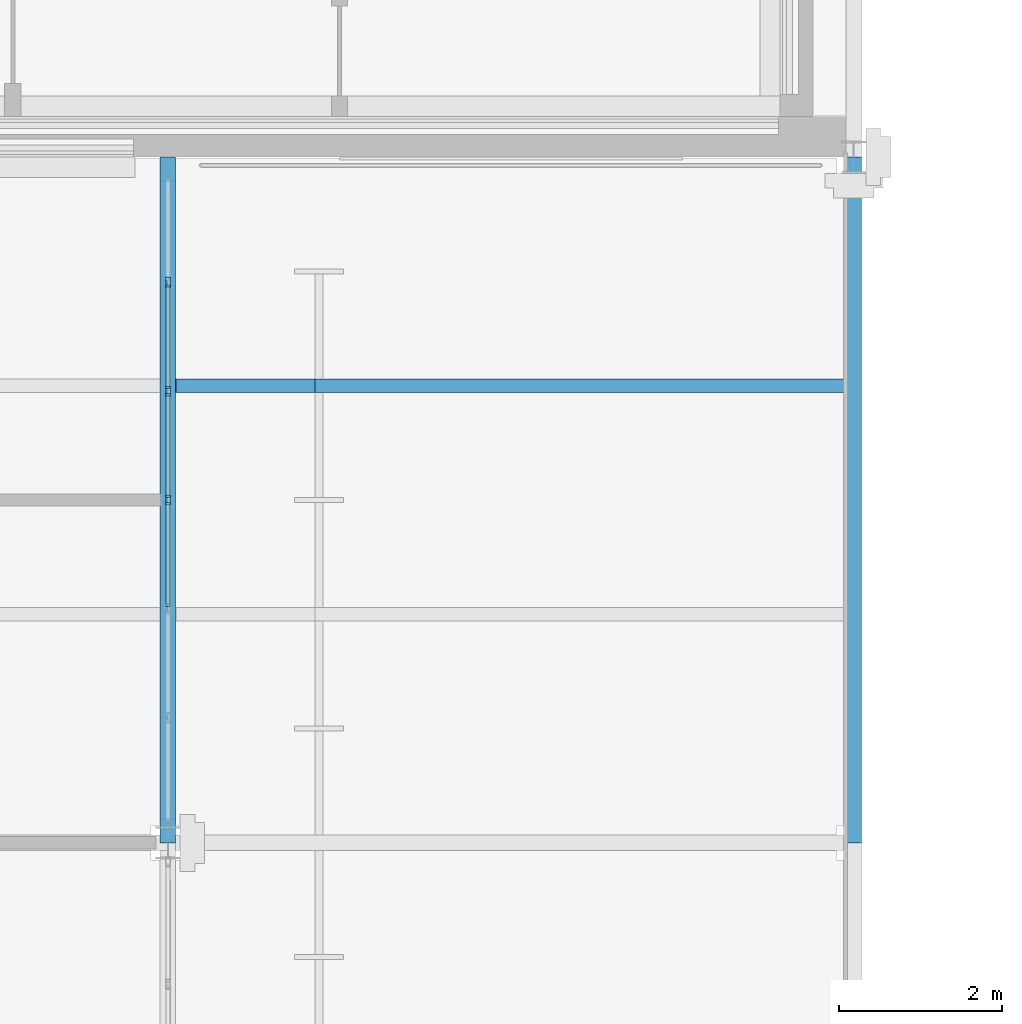
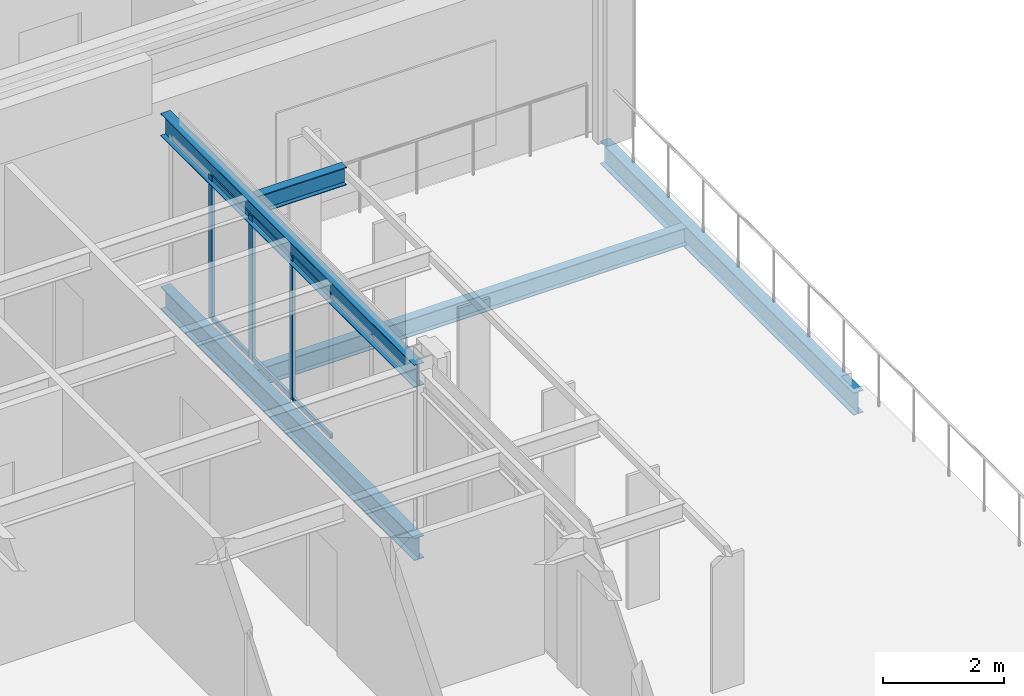
# One storey, part 20 of 31: 9 members, 5 beams, 1 element without a shape of its own.
"""IFC4 building model written with IfcOpenShell, lengths in metres."""

from ifc_helpers import new_model, si_unit, direction, frame, origin, origin_2d, place, context, subcontext, project, spatial, hollow_rectangle, i_section, extrude, material, material_profile, profile_set, type_object, element, aggregate, save


model = new_model("IFC4")

# Units and contexts
model_context = context("Model", 3, precision=1e-05, world=origin(), true_north=direction((0.0, 1.0)))
body_context = subcontext(model_context, "Body", "Model", "MODEL_VIEW")
ifc_project = project(units=[si_unit("LENGTHUNIT", "METRE"), si_unit("AREAUNIT", "SQUARE_METRE"), si_unit("VOLUMEUNIT", "CUBIC_METRE"), si_unit("PLANEANGLEUNIT", "RADIAN"), si_unit("MASSUNIT", "GRAM", prefix="KILO")], contexts=[model_context])

# Site, building, storey
site_placement = place(None, origin())
site = spatial("IfcSite", under=ifc_project, at=site_placement, CompositionType="ELEMENT")
building_placement = place(site_placement, origin())
building = spatial("IfcBuilding", under=site, at=building_placement, Name="Catenary Quay Ferry Terminal", CompositionType="ELEMENT")
storey_placement = place(building_placement, frame((0.0, 0.0, 20.60009765625)))
storey = spatial("IfcBuildingStorey", under=building, at=storey_placement, Name="L04", CompositionType="ELEMENT", Elevation=20.60009765625)

# Beams
ifc_material_1 = material(Name="Steel S355", Category="steel")
ifc_material_profile_1 = material_profile(ifc_material_1, i_section(OverallWidth=0.18994140625, OverallDepth=0.453369140625, WebThickness=0.008544921875, FlangeThickness=0.0126953125, at=origin_2d()), Name="UB 457x191x67")
ifc_profile_set_1 = profile_set([ifc_material_profile_1], Name="Steel S355")
beam_type_1 = type_object("IfcBeamType", Name="B1 UB 457x191x67", PredefinedType="BEAM", material=ifc_profile_set_1)
for number, where, z_axis, x_axis, name in (
    (1, (50.39990234375, 193.199951171875, -0.47705078125), (0.0, 1.0, 0.0), (-1.0, 0.0, 0.0), "Beam B1-020"),
    (2, (42.0, 193.199951171875, -0.47705078125), (0.0, 1.0, 0.0), (-1.0, 0.0, 0.0), "Beam B1-029"),
    (3, (42.0, 193.199951171875, 3.02294921875), (0.0, 1.0, 0.0), (-1.0, 0.0, 0.0), "Beam B1-022"),
):
    element("IfcBeam", number, at=place(storey_placement, frame(where, z_axis=z_axis, x_axis=x_axis)), inside=storey, type_object=beam_type_1, Name=name, PredefinedType="BEAM", context=body_context, shape_type="SweptSolid", body=[
        extrude(i_section(OverallWidth=0.18994140625, OverallDepth=0.453369140625, WebThickness=0.008544921875, FlangeThickness=0.0126953125, at=origin_2d()), origin(), (0.0, 0.0, 1.0), 8.400146484375),
    ])
ifc_material_2 = material(Name="Steel S355", Category="steel")
ifc_material_profile_2 = material_profile(ifc_material_2, i_section(OverallWidth=0.169921875, OverallDepth=0.360107421875, WebThickness=0.008056640625, FlangeThickness=0.0126953125, at=origin_2d()), Name="IPE 360")
ifc_profile_set_2 = profile_set([ifc_material_profile_2], Name="Steel S355")
beam_type_2 = type_object("IfcBeamType", Name="B7 IPE 360", PredefinedType="BEAM", material=ifc_profile_set_2)
beam_1_placement = place(storey_placement, frame((42.094970703125, 198.800048828125, -0.43017578125), z_axis=(1.0, 0.0, 0.0), x_axis=(0.0, 1.0, 0.0)))
element("IfcBeam", 4, at=beam_1_placement, inside=storey, type_object=beam_type_2, Name="Beam B7-024", PredefinedType="BEAM", context=body_context, shape_type="SweptSolid", body=[
    extrude(i_section(OverallWidth=0.169921875, OverallDepth=0.360107421875, WebThickness=0.008056640625, FlangeThickness=0.0126953125, at=origin_2d()), origin(), (0.0, 0.0, 1.0), 8.2099609375),
])
ifc_material_3 = material(Name="Steel S355", Category="steel")
ifc_material_profile_3 = material_profile(ifc_material_3, i_section(OverallWidth=0.169921875, OverallDepth=0.360107421875, WebThickness=0.008056640625, FlangeThickness=0.0126953125, at=origin_2d()), Name="IPE 360")
ifc_profile_set_3 = profile_set([ifc_material_profile_3], Name="Steel S355")
beam_type_3 = type_object("IfcBeamType", Name="B9 IPE 360", PredefinedType="BEAM", material=ifc_profile_set_3)
beam_2_placement = place(storey_placement, frame((42.095458984375, 198.800048828125, 3.06982421875), z_axis=(1.0, 0.0, 0.0), x_axis=(0.0, 1.0, 0.0)))
element("IfcBeam", 5, at=beam_2_placement, inside=storey, type_object=beam_type_3, Name="Eaves cantilever E8", PredefinedType="BEAM", context=body_context, shape_type="SweptSolid", body=[
    extrude(i_section(OverallWidth=0.169921875, OverallDepth=0.360107421875, WebThickness=0.008056640625, FlangeThickness=0.0126953125, at=origin_2d()), origin(), (0.0, 0.0, 1.0), 1.70458984375),
])

# Curtain wall, members
ifc_material_4 = material(Name="Aluminium and glass", Category="aluminium")
curtain_wall_type = type_object("IfcCurtainWallType", Name="CWW5", PredefinedType="NOTDEFINED", material=ifc_material_4)
curtain_wall_placement = place(storey_placement, origin())
curtain_wall = element("IfcCurtainWall", 6, at=curtain_wall_placement, inside=storey, type_object=curtain_wall_type, Name="Wing curtain wall CW162", PredefinedType="NOTDEFINED")
ifc_material_5 = material(Name="Aluminium", Category="aluminium")
ifc_material_profile_4 = material_profile(ifc_material_5, hollow_rectangle(XDim=0.06005859375, YDim=0.1201171875, WallThickness=0.0048828125, at=origin_2d()), Name="MU4")
ifc_profile_set_4 = profile_set([ifc_material_profile_4], Name="Aluminium")
member_type_1 = type_object("IfcMemberType", Name="MU4", PredefinedType="MULLION", material=ifc_profile_set_4)
member_1_placement = place(storey_placement, frame((42.0, 197.39990234375, 0.0), z_axis=(0.0, 0.0, 1.0), x_axis=(-1.0, 0.0, 0.0)))
member_1 = element("IfcMember", 7, at=member_1_placement, type_object=member_type_1, Name="CW162 mullion 4", PredefinedType="MULLION", context=body_context, shape_type="SweptSolid", body=[
    extrude(hollow_rectangle(XDim=0.06005859375, YDim=0.1201171875, WallThickness=0.0048828125, at=origin_2d()), origin(), (0.0, 0.0, 1.0), 2.89990234375),
])
member_2_placement = place(storey_placement, frame((42.0, 198.7333984375, 0.0), z_axis=(0.0, 0.0, 1.0), x_axis=(-1.0, 0.0, 0.0)))
member_2 = element("IfcMember", 8, at=member_2_placement, type_object=member_type_1, Name="CW162 mullion 5", PredefinedType="MULLION", context=body_context, shape_type="SweptSolid", body=[
    extrude(hollow_rectangle(XDim=0.06005859375, YDim=0.1201171875, WallThickness=0.0048828125, at=origin_2d()), origin(), (0.0, 0.0, 1.0), 2.89990234375),
])
member_3_placement = place(storey_placement, frame((42.0, 200.066650390625, 0.0), z_axis=(0.0, 0.0, 1.0), x_axis=(-1.0, 0.0, 0.0)))
member_3 = element("IfcMember", 9, at=member_3_placement, type_object=member_type_1, Name="CW162 mullion 6", PredefinedType="MULLION", context=body_context, shape_type="SweptSolid", body=[
    extrude(hollow_rectangle(XDim=0.06005859375, YDim=0.1201171875, WallThickness=0.0048828125, at=origin_2d()), origin(), (0.0, 0.0, 1.0), 2.89990234375),
])
ifc_material_6 = material(Name="Aluminium", Category="aluminium")
ifc_material_profile_5 = material_profile(ifc_material_6, hollow_rectangle(XDim=0.050048828125, YDim=0.10009765625, WallThickness=0.00390625, at=origin_2d()), Name="TR4")
ifc_profile_set_5 = profile_set([ifc_material_profile_5], Name="Aluminium")
member_type_2 = type_object("IfcMemberType", Name="TR4", PredefinedType="USERDEFINED", material=ifc_profile_set_5)
member_4_placement = place(storey_placement, frame((42.0, 196.0966796875, 0.02490234375), z_axis=(0.0, 1.0, 0.0), x_axis=(-1.0, 0.0, 0.0)))
member_4 = element("IfcMember", 10, at=member_4_placement, type_object=member_type_2, Name="CW162 transom 3.1", ObjectType="TRANSOM", PredefinedType="USERDEFINED", context=body_context, shape_type="SweptSolid", body=[
    extrude(hollow_rectangle(XDim=0.050048828125, YDim=0.10009765625, WallThickness=0.00390625, at=origin_2d()), origin(), (0.0, 0.0, 1.0), 1.2734375),
])
member_5_placement = place(storey_placement, frame((42.0, 196.0966796875, 2.875), z_axis=(0.0, 1.0, 0.0), x_axis=(-1.0, 0.0, 0.0)))
member_5 = element("IfcMember", 11, at=member_5_placement, type_object=member_type_2, Name="CW162 transom 3.2", ObjectType="TRANSOM", PredefinedType="USERDEFINED", context=body_context, shape_type="SweptSolid", body=[
    extrude(hollow_rectangle(XDim=0.050048828125, YDim=0.10009765625, WallThickness=0.00390625, at=origin_2d()), origin(), (0.0, 0.0, 1.0), 1.2734375),
])
member_6_placement = place(storey_placement, frame((42.0, 197.429931640625, 0.02490234375), z_axis=(0.0, 1.0, 0.0), x_axis=(-1.0, 0.0, 0.0)))
member_6 = element("IfcMember", 12, at=member_6_placement, type_object=member_type_2, Name="CW162 transom 4.1", ObjectType="TRANSOM", PredefinedType="USERDEFINED", context=body_context, shape_type="SweptSolid", body=[
    extrude(hollow_rectangle(XDim=0.050048828125, YDim=0.10009765625, WallThickness=0.00390625, at=origin_2d()), origin(), (0.0, 0.0, 1.0), 1.2734375),
])
member_7_placement = place(storey_placement, frame((42.0, 197.429931640625, 2.875), z_axis=(0.0, 1.0, 0.0), x_axis=(-1.0, 0.0, 0.0)))
member_7 = element("IfcMember", 13, at=member_7_placement, type_object=member_type_2, Name="CW162 transom 4.2", ObjectType="TRANSOM", PredefinedType="USERDEFINED", context=body_context, shape_type="SweptSolid", body=[
    extrude(hollow_rectangle(XDim=0.050048828125, YDim=0.10009765625, WallThickness=0.00390625, at=origin_2d()), origin(), (0.0, 0.0, 1.0), 1.2734375),
])
member_8_placement = place(storey_placement, frame((42.0, 198.763427734375, 0.02490234375), z_axis=(0.0, 1.0, 0.0), x_axis=(-1.0, 0.0, 0.0)))
member_8 = element("IfcMember", 14, at=member_8_placement, type_object=member_type_2, Name="CW162 transom 5.1", ObjectType="TRANSOM", PredefinedType="USERDEFINED", context=body_context, shape_type="SweptSolid", body=[
    extrude(hollow_rectangle(XDim=0.050048828125, YDim=0.10009765625, WallThickness=0.00390625, at=origin_2d()), origin(), (0.0, 0.0, 1.0), 1.273193359375),
])
member_9_placement = place(storey_placement, frame((42.0, 198.763427734375, 2.875), z_axis=(0.0, 1.0, 0.0), x_axis=(-1.0, 0.0, 0.0)))
member_9 = element("IfcMember", 15, at=member_9_placement, type_object=member_type_2, Name="CW162 transom 5.2", ObjectType="TRANSOM", PredefinedType="USERDEFINED", context=body_context, shape_type="SweptSolid", body=[
    extrude(hollow_rectangle(XDim=0.050048828125, YDim=0.10009765625, WallThickness=0.00390625, at=origin_2d()), origin(), (0.0, 0.0, 1.0), 1.273193359375),
])
aggregate(curtain_wall, [member_1, member_2, member_3, member_4, member_5, member_6, member_7, member_8, member_9])

save(model, "model.ifc")
